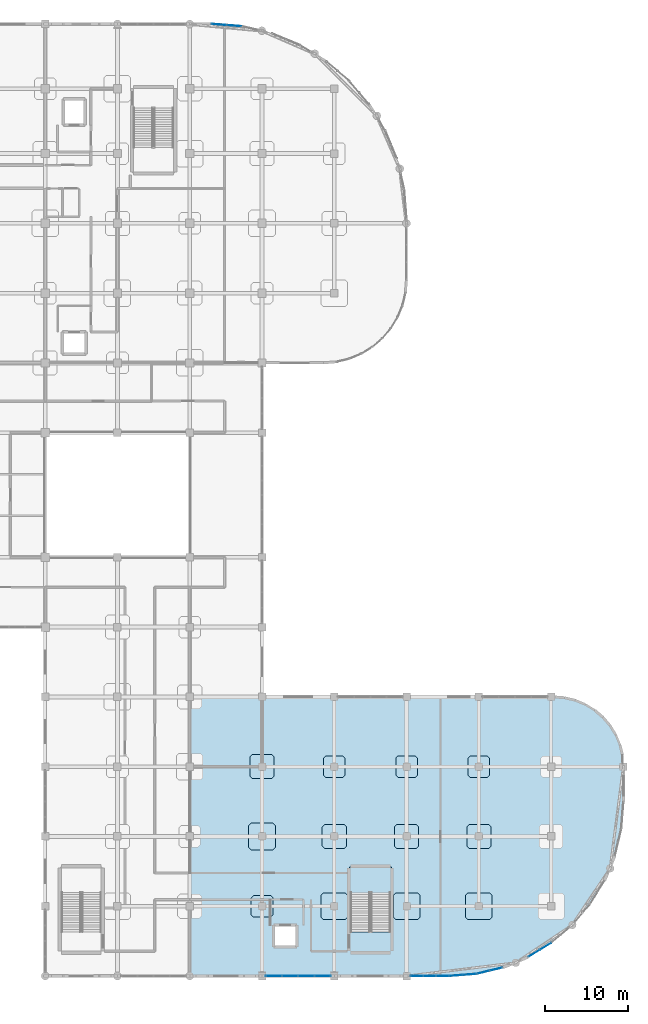
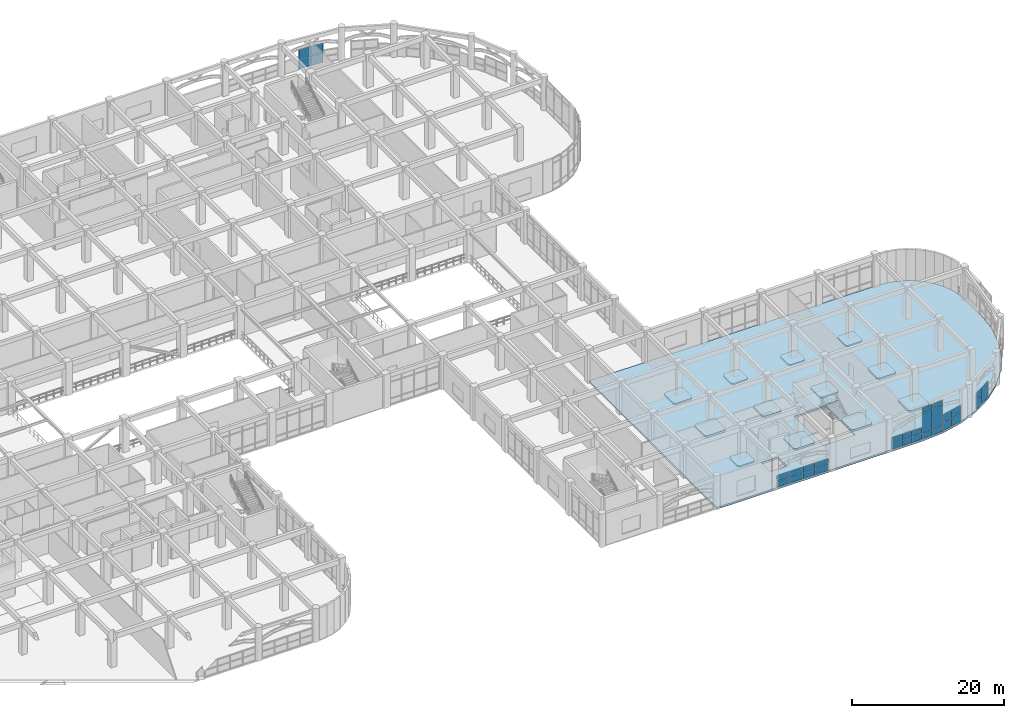
# One storey, part 87 of 114: 33 plates, 14 slabs, 7 elements without a shape of their own.
"""IFC4 building model written with IfcOpenShell, lengths in metres."""

from ifc_helpers import new_model, si_unit, derived_unit, direction, frame, origin, origin_2d, place, context, subcontext, project, spatial, polyline, rectangle, outline, extrude, material, layer, layer_set, type_object, element, aggregate, save


model = new_model("IFC4")

# Units and contexts
model_context = context("Model", 3, precision=1e-05, world=origin(), true_north=direction((0.0, 1.0)))
body_context = subcontext(model_context, "Body", "Model", "MODEL_VIEW")
ifc_project = project(units=[si_unit("LENGTHUNIT", "METRE"), si_unit("AREAUNIT", "SQUARE_METRE"), si_unit("VOLUMEUNIT", "CUBIC_METRE"), si_unit("PLANEANGLEUNIT", "RADIAN"), si_unit("MASSUNIT", "GRAM", prefix="KILO"), derived_unit("THERMALTRANSMITTANCEUNIT", [(si_unit("MASSUNIT", "GRAM", prefix="KILO"), 1), (si_unit("TIMEUNIT", "SECOND"), -3), (si_unit("THERMODYNAMICTEMPERATUREUNIT", "KELVIN"), -1)])], contexts=[model_context])

# Site, building, storey
site_placement = place(None, origin())
site = spatial("IfcSite", under=ifc_project, at=site_placement, CompositionType="ELEMENT")
building_placement = place(site_placement, origin())
building = spatial("IfcBuilding", under=site, at=building_placement, Name="Qinzheling Arcade Emporium", CompositionType="ELEMENT")
storey_placement = place(building_placement, frame((0.0, 0.0, 6.0)))
storey = spatial("IfcBuildingStorey", under=building, at=storey_placement, Name="L02", CompositionType="ELEMENT", Elevation=6.0)

# Slabs
ifc_material_1 = material(Name="Concrete C40", Category="concrete")
ifc_layer_1 = layer(ifc_material_1, 0.235107421875, Name="Concrete C40", Category="concrete")
ifc_layer_set_1 = layer_set([ifc_layer_1], Name="Concrete C40")
slab_type_1 = type_object("IfcSlabType", Name="Column Head Drop Panel 2600x2600x235 C40", PredefinedType="USERDEFINED", material=ifc_layer_set_1)
slab_1_placement = place(storey_placement, frame((0.0, 0.0, -0.530029296875)))
element("IfcSlab", 1, at=slab_1_placement, inside=storey, type_object=slab_type_1, Name="Column Drop Panel DP-L02-16-B", ObjectType="DROP_PANEL", PredefinedType="USERDEFINED", context=body_context, shape_type="SweptSolid", body=[
    extrude(outline(polyline([(129.47998046875, 7.10009765625), (131.52001953125, 7.10009765625), (131.800048828125, 7.3798828125), (131.800048828125, 9.419921875), (131.52001953125, 9.699951171875), (129.47998046875, 9.699951171875), (129.199951171875, 9.419921875), (129.199951171875, 7.3798828125), (129.47998046875, 7.10009765625)])), origin(), (0.0, 0.0, 1.0), 0.235107421875),
])
slab_2_placement = place(storey_placement, frame((0.0, 0.0, -0.530029296875)))
element("IfcSlab", 2, at=slab_2_placement, inside=storey, type_object=slab_type_1, Name="Column Drop Panel DP-L02-17-D", ObjectType="DROP_PANEL", PredefinedType="USERDEFINED", context=body_context, shape_type="SweptSolid", body=[
    extrude(outline(polyline([(138.179931640625, 23.89990234375), (140.219970703125, 23.89990234375), (140.5, 24.179931640625), (140.5, 26.219970703125), (140.219970703125, 26.5), (138.179931640625, 26.5), (137.89990234375, 26.219970703125), (137.89990234375, 24.179931640625), (138.179931640625, 23.89990234375)])), origin(), (0.0, 0.0, 1.0), 0.235107421875),
])
slab_3_placement = place(storey_placement, frame((0.0, 0.0, -0.530029296875)))
element("IfcSlab", 3, at=slab_3_placement, inside=storey, type_object=slab_type_1, Name="Column Drop Panel DP-L02-18-D", ObjectType="DROP_PANEL", PredefinedType="USERDEFINED", context=body_context, shape_type="SweptSolid", body=[
    extrude(outline(polyline([(146.8798828125, 23.89990234375), (148.919921875, 23.89990234375), (149.199951171875, 24.179931640625), (149.199951171875, 26.219970703125), (148.919921875, 26.5), (146.8798828125, 26.5), (146.60009765625, 26.219970703125), (146.60009765625, 24.179931640625), (146.8798828125, 23.89990234375)])), origin(), (0.0, 0.0, 1.0), 0.235107421875),
])
slab_4_placement = place(storey_placement, frame((0.0, 0.0, -0.530029296875)))
element("IfcSlab", 4, at=slab_4_placement, inside=storey, type_object=slab_type_1, Name="Column Drop Panel DP-L02-19-D", ObjectType="DROP_PANEL", PredefinedType="USERDEFINED", context=body_context, shape_type="SweptSolid", body=[
    extrude(outline(polyline([(155.580078125, 23.89990234375), (157.6201171875, 23.89990234375), (157.89990234375, 24.179931640625), (157.89990234375, 26.219970703125), (157.6201171875, 26.5), (155.580078125, 26.5), (155.300048828125, 26.219970703125), (155.300048828125, 24.179931640625), (155.580078125, 23.89990234375)])), origin(), (0.0, 0.0, 1.0), 0.235107421875),
])
ifc_layer_2 = layer(ifc_material_1, 0.27001953125, Name="Concrete C40", Category="concrete")
ifc_layer_set_2 = layer_set([ifc_layer_2], Name="Concrete C40")
slab_type_2 = type_object("IfcSlabType", Name="Column Head Drop Panel 2900x2900x270 C40", PredefinedType="USERDEFINED", material=ifc_layer_set_2)
slab_5_placement = place(storey_placement, frame((0.0, 0.0, -0.56494140625)))
element("IfcSlab", 5, at=slab_5_placement, inside=storey, type_object=slab_type_2, Name="Column Drop Panel DP-L02-16-D", ObjectType="DROP_PANEL", PredefinedType="USERDEFINED", context=body_context, shape_type="SweptSolid", body=[
    extrude(outline(polyline([(129.330078125, 23.75), (131.669921875, 23.75), (131.949951171875, 24.030029296875), (131.949951171875, 26.3701171875), (131.669921875, 26.64990234375), (129.330078125, 26.64990234375), (129.050048828125, 26.3701171875), (129.050048828125, 24.030029296875), (129.330078125, 23.75)])), origin(), (0.0, 0.0, 1.0), 0.27001953125),
])
slab_6_placement = place(storey_placement, frame((0.0, 0.0, -0.56494140625)))
element("IfcSlab", 6, at=slab_6_placement, inside=storey, type_object=slab_type_2, Name="Column Drop Panel DP-L02-17-C", ObjectType="DROP_PANEL", PredefinedType="USERDEFINED", context=body_context, shape_type="SweptSolid", body=[
    extrude(outline(polyline([(138.030029296875, 15.35009765625), (140.3701171875, 15.35009765625), (140.64990234375, 15.6298828125), (140.64990234375, 17.969970703125), (140.3701171875, 18.25), (138.030029296875, 18.25), (137.75, 17.969970703125), (137.75, 15.6298828125), (138.030029296875, 15.35009765625)])), origin(), (0.0, 0.0, 1.0), 0.27001953125),
])
slab_7_placement = place(storey_placement, frame((0.0, 0.0, -0.56494140625)))
element("IfcSlab", 7, at=slab_7_placement, inside=storey, type_object=slab_type_2, Name="Column Drop Panel DP-L02-18-C", ObjectType="DROP_PANEL", PredefinedType="USERDEFINED", context=body_context, shape_type="SweptSolid", body=[
    extrude(outline(polyline([(146.72998046875, 15.35009765625), (149.070068359375, 15.35009765625), (149.35009765625, 15.6298828125), (149.35009765625, 17.969970703125), (149.070068359375, 18.25), (146.72998046875, 18.25), (146.449951171875, 17.969970703125), (146.449951171875, 15.6298828125), (146.72998046875, 15.35009765625)])), origin(), (0.0, 0.0, 1.0), 0.27001953125),
])
slab_8_placement = place(storey_placement, frame((0.0, 0.0, -0.56494140625)))
element("IfcSlab", 8, at=slab_8_placement, inside=storey, type_object=slab_type_2, Name="Column Drop Panel DP-L02-19-C", ObjectType="DROP_PANEL", PredefinedType="USERDEFINED", context=body_context, shape_type="SweptSolid", body=[
    extrude(outline(polyline([(155.429931640625, 15.35009765625), (157.77001953125, 15.35009765625), (158.050048828125, 15.6298828125), (158.050048828125, 17.969970703125), (157.77001953125, 18.25), (155.429931640625, 18.25), (155.14990234375, 17.969970703125), (155.14990234375, 15.6298828125), (155.429931640625, 15.35009765625)])), origin(), (0.0, 0.0, 1.0), 0.27001953125),
])
ifc_layer_3 = layer(ifc_material_1, 0.300048828125, Name="Concrete C40", Category="concrete")
ifc_layer_set_3 = layer_set([ifc_layer_3], Name="Concrete C40")
slab_type_3 = type_object("IfcSlabType", Name="Column Head Drop Panel 3200x3200x300 C40", PredefinedType="USERDEFINED", material=ifc_layer_set_3)
slab_9_placement = place(storey_placement, frame((0.0, 0.0, -0.594970703125)))
element("IfcSlab", 9, at=slab_9_placement, inside=storey, type_object=slab_type_3, Name="Column Drop Panel DP-L02-16-C", ObjectType="DROP_PANEL", PredefinedType="USERDEFINED", context=body_context, shape_type="SweptSolid", body=[
    extrude(outline(polyline([(129.179931640625, 15.199951171875), (131.820068359375, 15.199951171875), (132.10009765625, 15.47998046875), (132.10009765625, 18.1201171875), (131.820068359375, 18.39990234375), (129.179931640625, 18.39990234375), (128.89990234375, 18.1201171875), (128.89990234375, 15.47998046875), (129.179931640625, 15.199951171875)])), origin(), (0.0, 0.0, 1.0), 0.300048828125),
])
slab_10_placement = place(storey_placement, frame((0.0, 0.0, -0.594970703125)))
element("IfcSlab", 10, at=slab_10_placement, inside=storey, type_object=slab_type_3, Name="Column Drop Panel DP-L02-17-B", ObjectType="DROP_PANEL", PredefinedType="USERDEFINED", context=body_context, shape_type="SweptSolid", body=[
    extrude(outline(polyline([(137.8798828125, 6.800048828125), (140.52001953125, 6.800048828125), (140.800048828125, 7.080078125), (140.800048828125, 9.719970703125), (140.52001953125, 10.0), (137.8798828125, 10.0), (137.60009765625, 9.719970703125), (137.60009765625, 7.080078125), (137.8798828125, 6.800048828125)])), origin(), (0.0, 0.0, 1.0), 0.300048828125),
])
slab_11_placement = place(storey_placement, frame((0.0, 0.0, -0.594970703125)))
element("IfcSlab", 11, at=slab_11_placement, inside=storey, type_object=slab_type_3, Name="Column Drop Panel DP-L02-18-B", ObjectType="DROP_PANEL", PredefinedType="USERDEFINED", context=body_context, shape_type="SweptSolid", body=[
    extrude(outline(polyline([(146.580078125, 6.800048828125), (149.219970703125, 6.800048828125), (149.5, 7.080078125), (149.5, 9.719970703125), (149.219970703125, 10.0), (146.580078125, 10.0), (146.300048828125, 9.719970703125), (146.300048828125, 7.080078125), (146.580078125, 6.800048828125)])), origin(), (0.0, 0.0, 1.0), 0.300048828125),
])
slab_12_placement = place(storey_placement, frame((0.0, 0.0, -0.594970703125)))
element("IfcSlab", 12, at=slab_12_placement, inside=storey, type_object=slab_type_3, Name="Column Drop Panel DP-L02-19-B", ObjectType="DROP_PANEL", PredefinedType="USERDEFINED", context=body_context, shape_type="SweptSolid", body=[
    extrude(outline(polyline([(155.280029296875, 6.800048828125), (157.919921875, 6.800048828125), (158.199951171875, 7.080078125), (158.199951171875, 9.719970703125), (157.919921875, 10.0), (155.280029296875, 10.0), (155.0, 9.719970703125), (155.0, 7.080078125), (155.280029296875, 6.800048828125)])), origin(), (0.0, 0.0, 1.0), 0.300048828125),
])
ifc_layer_4 = layer(ifc_material_1, 0.294921875, Name="Concrete C40", Category="concrete")
ifc_layer_set_4 = layer_set([ifc_layer_4], Name="Concrete C40")
slab_type_4 = type_object("IfcSlabType", Name="Food Hall Acoustic Flat Slab 295 C40", PredefinedType="FLOOR", material=ifc_layer_set_4)
slab_13_placement = place(storey_placement, frame((0.0, 0.0, -0.294921875)))
element("IfcSlab", 13, at=slab_13_placement, inside=storey, type_object=slab_type_4, Name="Floor Slab SLB-L02-V4", PredefinedType="FLOOR", context=body_context, shape_type="SweptSolid", body=[
    extrude(outline(polyline([(121.800048828125, 33.60009765625), (121.800048828125, 0.0), (153.0, 0.0), (156.284912109375, 0.259033203125), (159.489013671875, 1.028076171875), (162.533935546875, 2.2890625), (165.343017578125, 4.010986328125), (167.84912109375, 6.15087890625), (169.989013671875, 8.656982421875), (171.7109375, 11.466064453125), (172.971923828125, 14.510986328125), (173.740966796875, 17.715087890625), (174.0, 21.0), (174.0, 25.199951171875), (173.89697265625, 26.513916015625), (173.589111328125, 27.7958984375), (173.083984375, 29.013916015625), (172.39599609375, 30.136962890625), (171.5400390625, 31.139892578125), (170.537109375, 31.99609375), (169.4140625, 32.68408203125), (168.196044921875, 33.18896484375), (166.9140625, 33.4970703125), (165.60009765625, 33.60009765625), (121.800048828125, 33.60009765625)]), holes=[polyline([(141.155029296875, 5.324951171875), (141.155029296875, 13.0), (145.945068359375, 13.0), (145.945068359375, 5.324951171875), (141.155029296875, 5.324951171875)]), polyline([(134.550048828125, 3.64990234375), (132.050048828125, 3.64990234375), (132.050048828125, 5.949951171875), (134.550048828125, 5.949951171875), (134.550048828125, 3.64990234375)])]), origin(), (0.0, 0.0, 1.0), 0.294921875),
])

# Curtain wall, plates
ifc_material_2 = material(Name="Anodised aluminium and solar-control double glazing", Category="aluminium")
ifc_layer_5 = layer(ifc_material_2, 0.159912109375, Name="Anodised aluminium and solar-control double glazing", Category="aluminium")
ifc_layer_set_5 = layer_set([ifc_layer_5], Name="Anodised aluminium and solar-control double glazing")
curtain_wall_type_1 = type_object("IfcCurtainWallType", Name="Curved Ribbon Sales Curtain Wall", PredefinedType="NOTDEFINED", material=ifc_layer_set_5)
curtain_wall_1_placement = place(storey_placement, origin())
curtain_wall_1 = element("IfcCurtainWall", 14, at=curtain_wall_1_placement, inside=storey, type_object=curtain_wall_type_1, Name="Curtain Wall CW-L02-054", PredefinedType="NOTDEFINED")
ifc_material_3 = material(Name="Laminated solar-control double glazing", Category="glass")
ifc_layer_6 = layer(ifc_material_3, 0.029052734375, Name="Laminated solar-control double glazing", Category="glass")
ifc_layer_set_6 = layer_set([ifc_layer_6], Name="Laminated solar-control double glazing")
plate_type_1 = type_object("IfcPlateType", Name="Low-E Double Glazed Curtain Panel 29mm", PredefinedType="CURTAIN_PANEL", material=ifc_layer_set_6)
plate_1_placement = place(storey_placement, frame((164.6279296875, 3.57275390625, 0.06005859375), z_axis=(0.0, 0.0, 1.0), x_axis=(-0.852553266126, -0.522640343274, 0.0)))
plate_1 = element("IfcPlate", 15, at=plate_1_placement, type_object=plate_type_1, Name="CW02 panel 1.1", PredefinedType="CURTAIN_PANEL", context=body_context, shape_type="SweptSolid", body=[
    extrude(rectangle(XDim=1.557373046875, YDim=0.029052734375, at=origin_2d()), origin(), (0.0, 0.0, 1.0), 1.27197265625),
])
plate_2_placement = place(storey_placement, frame((164.6279296875, 3.57275390625, 1.39208984375), z_axis=(0.0, 0.0, 1.0), x_axis=(-0.852553266126, -0.522640343274, 0.0)))
plate_2 = element("IfcPlate", 16, at=plate_2_placement, type_object=plate_type_1, Name="CW02 panel 1.2", PredefinedType="CURTAIN_PANEL", context=body_context, shape_type="SweptSolid", body=[
    extrude(rectangle(XDim=1.557373046875, YDim=0.029052734375, at=origin_2d()), origin(), (0.0, 0.0, 1.0), 1.27099609375),
])
plate_3_placement = place(storey_placement, frame((163.2490234375, 2.727294921875, 0.06005859375), z_axis=(0.0, 0.0, 1.0), x_axis=(-0.852553266126, -0.522640343274, 0.0)))
plate_3 = element("IfcPlate", 17, at=plate_3_placement, type_object=plate_type_1, Name="CW02 panel 2.1", PredefinedType="CURTAIN_PANEL", context=body_context, shape_type="SweptSolid", body=[
    extrude(rectangle(XDim=1.557373046875, YDim=0.029052734375, at=origin_2d()), origin(), (0.0, 0.0, 1.0), 1.27197265625),
])
plate_4_placement = place(storey_placement, frame((163.2490234375, 2.727294921875, 1.39208984375), z_axis=(0.0, 0.0, 1.0), x_axis=(-0.852553266126, -0.522640343274, 0.0)))
plate_4 = element("IfcPlate", 18, at=plate_4_placement, type_object=plate_type_1, Name="CW02 panel 2.2", PredefinedType="CURTAIN_PANEL", context=body_context, shape_type="SweptSolid", body=[
    extrude(rectangle(XDim=1.557373046875, YDim=0.029052734375, at=origin_2d()), origin(), (0.0, 0.0, 1.0), 1.27099609375),
])
aggregate(curtain_wall_1, [plate_1, plate_2, plate_3, plate_4])

curtain_wall_2_placement = place(storey_placement, origin())
curtain_wall_2 = element("IfcCurtainWall", 19, at=curtain_wall_2_placement, inside=storey, type_object=curtain_wall_type_1, Name="Curtain Wall CW-L02-055", PredefinedType="NOTDEFINED")
ifc_layer_7 = layer(ifc_material_3, 0.030029296875, Name="Laminated solar-control double glazing", Category="glass")
ifc_layer_set_7 = layer_set([ifc_layer_7], Name="Laminated solar-control double glazing")
plate_type_2 = type_object("IfcPlateType", Name="Low-E Double Glazed Curtain Panel 30mm", PredefinedType="CURTAIN_PANEL", material=ifc_layer_set_7)
plate_5_placement = place(storey_placement, frame((158.67333984375, 0.832275390625, 0.06005859375), z_axis=(0.0, 0.0, 1.0), x_axis=(-0.972384547081, -0.233384430923, 0.0)))
plate_5 = element("IfcPlate", 20, at=plate_5_placement, type_object=plate_type_2, Name="CW02 panel 1.1", PredefinedType="CURTAIN_PANEL", context=body_context, shape_type="SweptSolid", body=[
    extrude(rectangle(XDim=1.5576171875, YDim=0.030029296875, at=origin_2d()), origin(), (0.0, 0.0, 1.0), 1.263916015625),
])
plate_6_placement = place(storey_placement, frame((158.67333984375, 0.832275390625, 1.38427734375), z_axis=(0.0, 0.0, 1.0), x_axis=(-0.972384547081, -0.233384430923, 0.0)))
plate_6 = element("IfcPlate", 21, at=plate_6_placement, type_object=plate_type_2, Name="CW02 panel 1.2", PredefinedType="CURTAIN_PANEL", context=body_context, shape_type="SweptSolid", body=[
    extrude(rectangle(XDim=1.5576171875, YDim=0.030029296875, at=origin_2d()), origin(), (0.0, 0.0, 1.0), 1.263916015625),
])
plate_7_placement = place(storey_placement, frame((157.1005859375, 0.454833984375, 0.06005859375), z_axis=(0.0, 0.0, 1.0), x_axis=(-0.972384547081, -0.233384430923, 0.0)))
plate_7 = element("IfcPlate", 22, at=plate_7_placement, type_object=plate_type_2, Name="CW02 panel 2.1", PredefinedType="CURTAIN_PANEL", context=body_context, shape_type="SweptSolid", body=[
    extrude(rectangle(XDim=1.5576171875, YDim=0.030029296875, at=origin_2d()), origin(), (0.0, 0.0, 1.0), 1.263916015625),
])
plate_8_placement = place(storey_placement, frame((157.1005859375, 0.454833984375, 1.38427734375), z_axis=(0.0, 0.0, 1.0), x_axis=(-0.972384547081, -0.233384430923, 0.0)))
plate_8 = element("IfcPlate", 23, at=plate_8_placement, type_object=plate_type_2, Name="CW02 panel 2.2", PredefinedType="CURTAIN_PANEL", context=body_context, shape_type="SweptSolid", body=[
    extrude(rectangle(XDim=1.5576171875, YDim=0.030029296875, at=origin_2d()), origin(), (0.0, 0.0, 1.0), 1.263916015625),
])
aggregate(curtain_wall_2, [plate_5, plate_6, plate_7, plate_8])

curtain_wall_3_placement = place(storey_placement, origin())
curtain_wall_3 = element("IfcCurtainWall", 24, at=curtain_wall_3_placement, inside=storey, type_object=curtain_wall_type_1, Name="Curtain Wall CW-L02-103", PredefinedType="NOTDEFINED")
plate_9_placement = place(storey_placement, frame((125.333984375, 114.526611328125, 0.06005859375), z_axis=(0.0, 0.0, 1.0), x_axis=(0.996923852542, -0.078376222365, 0.0)))
plate_9 = element("IfcPlate", 25, at=plate_9_placement, type_object=plate_type_2, Name="CW02 panel 1.1", PredefinedType="CURTAIN_PANEL", context=body_context, shape_type="SweptSolid", body=[
    extrude(rectangle(XDim=1.753662109375, YDim=0.030029296875, at=origin_2d()), origin(), (0.0, 0.0, 1.0), 1.5400390625),
])
plate_10_placement = place(storey_placement, frame((125.333984375, 114.526611328125, 1.659912109375), z_axis=(0.0, 0.0, 1.0), x_axis=(0.996923852542, -0.078376222365, 0.0)))
plate_10 = element("IfcPlate", 26, at=plate_10_placement, type_object=plate_type_2, Name="CW02 panel 1.2", PredefinedType="CURTAIN_PANEL", context=body_context, shape_type="SweptSolid", body=[
    extrude(rectangle(XDim=1.753662109375, YDim=0.030029296875, at=origin_2d()), origin(), (0.0, 0.0, 1.0), 1.5390625),
])
plate_11_placement = place(storey_placement, frame((127.14208984375, 114.384521484375, 0.06005859375), z_axis=(0.0, 0.0, 1.0), x_axis=(0.996923852542, -0.078376222365, 0.0)))
plate_11 = element("IfcPlate", 27, at=plate_11_placement, type_object=plate_type_2, Name="CW02 panel 2.1", PredefinedType="CURTAIN_PANEL", context=body_context, shape_type="SweptSolid", body=[
    extrude(rectangle(XDim=1.753662109375, YDim=0.030029296875, at=origin_2d()), origin(), (0.0, 0.0, 1.0), 1.5400390625),
])
plate_12_placement = place(storey_placement, frame((127.14208984375, 114.384521484375, 1.659912109375), z_axis=(0.0, 0.0, 1.0), x_axis=(0.996923852542, -0.078376222365, 0.0)))
plate_12 = element("IfcPlate", 28, at=plate_12_placement, type_object=plate_type_2, Name="CW02 panel 2.2", PredefinedType="CURTAIN_PANEL", context=body_context, shape_type="SweptSolid", body=[
    extrude(rectangle(XDim=1.753662109375, YDim=0.030029296875, at=origin_2d()), origin(), (0.0, 0.0, 1.0), 1.5390625),
])
aggregate(curtain_wall_3, [plate_9, plate_10, plate_11, plate_12])

curtain_wall_4_placement = place(storey_placement, origin())
curtain_wall_4 = element("IfcCurtainWall", 29, at=curtain_wall_4_placement, inside=storey, type_object=curtain_wall_type_1, Name="Curtain Wall CW-L02-056", PredefinedType="NOTDEFINED")
ifc_layer_8 = layer(ifc_material_3, 0.031005859375, Name="Laminated solar-control double glazing", Category="glass")
ifc_layer_set_8 = layer_set([ifc_layer_8], Name="Laminated solar-control double glazing")
plate_type_3 = type_object("IfcPlateType", Name="Low-E Double Glazed Curtain Panel 31mm", PredefinedType="CURTAIN_PANEL", material=ifc_layer_set_8)
plate_13_placement = place(storey_placement, frame((155.44873046875, 0.193115234375, 0.06005859375), z_axis=(0.0, 0.0, 1.0), x_axis=(-0.996906288818, -0.078599308618, 0.0)))
plate_13 = element("IfcPlate", 30, at=plate_13_placement, type_object=plate_type_3, Name="CW02 panel 1.1", PredefinedType="CURTAIN_PANEL", context=body_context, shape_type="SweptSolid", body=[
    extrude(rectangle(XDim=1.5576171875, YDim=0.031005859375, at=origin_2d()), origin(), (0.0, 0.0, 1.0), 0.860107421875),
])
plate_14_placement = place(storey_placement, frame((155.44873046875, 0.193115234375, 0.97998046875), z_axis=(0.0, 0.0, 1.0), x_axis=(-0.996906288818, -0.078599308618, 0.0)))
plate_14 = element("IfcPlate", 31, at=plate_14_placement, type_object=plate_type_3, Name="CW02 panel 1.2", PredefinedType="CURTAIN_PANEL", context=body_context, shape_type="SweptSolid", body=[
    extrude(rectangle(XDim=1.5576171875, YDim=0.031005859375, at=origin_2d()), origin(), (0.0, 0.0, 1.0), 3.22998046875),
])
plate_15_placement = place(storey_placement, frame((155.44873046875, 0.193115234375, 4.27001953125), z_axis=(0.0, 0.0, 1.0), x_axis=(-0.996906288818, -0.078599308618, 0.0)))
plate_15 = element("IfcPlate", 32, at=plate_15_placement, type_object=plate_type_3, Name="CW02 panel 1.3", PredefinedType="CURTAIN_PANEL", context=body_context, shape_type="SweptSolid", body=[
    extrude(rectangle(XDim=1.5576171875, YDim=0.031005859375, at=origin_2d()), origin(), (0.0, 0.0, 1.0), 0.760009765625),
])
plate_16_placement = place(storey_placement, frame((153.836181640625, 0.06591796875, 0.06005859375), z_axis=(0.0, 0.0, 1.0), x_axis=(-0.996906288818, -0.078599308618, 0.0)))
plate_16 = element("IfcPlate", 33, at=plate_16_placement, type_object=plate_type_3, Name="CW02 panel 2.1", PredefinedType="CURTAIN_PANEL", context=body_context, shape_type="SweptSolid", body=[
    extrude(rectangle(XDim=1.5576171875, YDim=0.031005859375, at=origin_2d()), origin(), (0.0, 0.0, 1.0), 0.860107421875),
])
plate_17_placement = place(storey_placement, frame((153.836181640625, 0.06591796875, 0.97998046875), z_axis=(0.0, 0.0, 1.0), x_axis=(-0.996906288818, -0.078599308618, 0.0)))
plate_17 = element("IfcPlate", 34, at=plate_17_placement, type_object=plate_type_3, Name="CW02 panel 2.2", PredefinedType="CURTAIN_PANEL", context=body_context, shape_type="SweptSolid", body=[
    extrude(rectangle(XDim=1.5576171875, YDim=0.031005859375, at=origin_2d()), origin(), (0.0, 0.0, 1.0), 3.22998046875),
])
plate_18_placement = place(storey_placement, frame((153.836181640625, 0.06591796875, 4.27001953125), z_axis=(0.0, 0.0, 1.0), x_axis=(-0.996906288818, -0.078599308618, 0.0)))
plate_18 = element("IfcPlate", 35, at=plate_18_placement, type_object=plate_type_3, Name="CW02 panel 2.3", PredefinedType="CURTAIN_PANEL", context=body_context, shape_type="SweptSolid", body=[
    extrude(rectangle(XDim=1.5576171875, YDim=0.031005859375, at=origin_2d()), origin(), (0.0, 0.0, 1.0), 0.760009765625),
])
aggregate(curtain_wall_4, [plate_13, plate_14, plate_15, plate_16, plate_17, plate_18])

ifc_layer_9 = layer(ifc_material_2, 0.159912109375, Name="Anodised aluminium and solar-control double glazing", Category="aluminium")
ifc_layer_set_9 = layer_set([ifc_layer_9], Name="Anodised aluminium and solar-control double glazing")
curtain_wall_type_2 = type_object("IfcCurtainWallType", Name="Food Hall Loggia Curtain Wall", PredefinedType="NOTDEFINED", material=ifc_layer_set_9)
curtain_wall_5_placement = place(storey_placement, origin())
curtain_wall_5 = element("IfcCurtainWall", 36, at=curtain_wall_5_placement, inside=storey, type_object=curtain_wall_type_2, Name="Curtain Wall CW-L02-057", PredefinedType="NOTDEFINED")
ifc_layer_10 = layer(ifc_material_3, 0.031982421875, Name="Laminated solar-control double glazing", Category="glass")
ifc_layer_set_10 = layer_set([ifc_layer_10], Name="Laminated solar-control double glazing")
plate_type_4 = type_object("IfcPlateType", Name="Low-E Double Glazed Curtain Panel 32mm", PredefinedType="CURTAIN_PANEL", material=ifc_layer_set_10)
plate_19_placement = place(storey_placement, frame((152.21044921875, 0.0, 0.06005859375), z_axis=(0.0, 0.0, 1.0), x_axis=(-1.0, 0.0, 0.0)))
plate_19 = element("IfcPlate", 37, at=plate_19_placement, type_object=plate_type_4, Name="CW04 panel 1.1", PredefinedType="CURTAIN_PANEL", context=body_context, shape_type="SweptSolid", body=[
    extrude(rectangle(XDim=1.459228515625, YDim=0.031982421875, at=origin_2d()), origin(), (0.0, 0.0, 1.0), 0.907958984375),
])
plate_20_placement = place(storey_placement, frame((152.21044921875, 0.0, 1.02783203125), z_axis=(0.0, 0.0, 1.0), x_axis=(-1.0, 0.0, 0.0)))
plate_20 = element("IfcPlate", 38, at=plate_20_placement, type_object=plate_type_4, Name="CW04 panel 1.2", PredefinedType="CURTAIN_PANEL", context=body_context, shape_type="SweptSolid", body=[
    extrude(rectangle(XDim=1.459228515625, YDim=0.031982421875, at=origin_2d()), origin(), (0.0, 0.0, 1.0), 0.906982421875),
])
plate_21_placement = place(storey_placement, frame((150.676025390625, 0.0, 0.06005859375), z_axis=(0.0, 0.0, 1.0), x_axis=(-1.0, 0.0, 0.0)))
plate_21 = element("IfcPlate", 39, at=plate_21_placement, type_object=plate_type_4, Name="CW04 panel 2.1", PredefinedType="CURTAIN_PANEL", context=body_context, shape_type="SweptSolid", body=[
    extrude(rectangle(XDim=1.4892578125, YDim=0.031982421875, at=origin_2d()), origin(), (0.0, 0.0, 1.0), 0.907958984375),
])
plate_22_placement = place(storey_placement, frame((150.676025390625, 0.0, 1.02783203125), z_axis=(0.0, 0.0, 1.0), x_axis=(-1.0, 0.0, 0.0)))
plate_22 = element("IfcPlate", 40, at=plate_22_placement, type_object=plate_type_4, Name="CW04 panel 2.2", PredefinedType="CURTAIN_PANEL", context=body_context, shape_type="SweptSolid", body=[
    extrude(rectangle(XDim=1.4892578125, YDim=0.031982421875, at=origin_2d()), origin(), (0.0, 0.0, 1.0), 0.906982421875),
])
plate_23_placement = place(storey_placement, frame((149.1416015625, 0.0, 0.06005859375), z_axis=(0.0, 0.0, 1.0), x_axis=(-1.0, 0.0, 0.0)))
plate_23 = element("IfcPlate", 41, at=plate_23_placement, type_object=plate_type_4, Name="CW04 panel 3.1", PredefinedType="CURTAIN_PANEL", context=body_context, shape_type="SweptSolid", body=[
    extrude(rectangle(XDim=1.459228515625, YDim=0.031982421875, at=origin_2d()), origin(), (0.0, 0.0, 1.0), 0.907958984375),
])
plate_24_placement = place(storey_placement, frame((149.1416015625, 0.0, 1.02783203125), z_axis=(0.0, 0.0, 1.0), x_axis=(-1.0, 0.0, 0.0)))
plate_24 = element("IfcPlate", 42, at=plate_24_placement, type_object=plate_type_4, Name="CW04 panel 3.2", PredefinedType="CURTAIN_PANEL", context=body_context, shape_type="SweptSolid", body=[
    extrude(rectangle(XDim=1.459228515625, YDim=0.031982421875, at=origin_2d()), origin(), (0.0, 0.0, 1.0), 0.906982421875),
])
aggregate(curtain_wall_5, [plate_19, plate_20, plate_21, plate_22, plate_23, plate_24])

curtain_wall_6_placement = place(storey_placement, origin())
curtain_wall_6 = element("IfcCurtainWall", 43, at=curtain_wall_6_placement, inside=storey, type_object=curtain_wall_type_2, Name="Curtain Wall CW-L02-058", PredefinedType="NOTDEFINED")
ifc_layer_11 = layer(ifc_material_3, 0.033935546875, Name="Laminated solar-control double glazing", Category="glass")
ifc_layer_set_11 = layer_set([ifc_layer_11], Name="Laminated solar-control double glazing")
plate_type_5 = type_object("IfcPlateType", Name="Low-E Double Glazed Curtain Panel 34mm", PredefinedType="CURTAIN_PANEL", material=ifc_layer_set_11)
plate_25_placement = place(storey_placement, frame((137.758544921875, 0.0, 0.06005859375), z_axis=(0.0, 0.0, 1.0), x_axis=(-1.0, 0.0, 0.0)))
plate_25 = element("IfcPlate", 44, at=plate_25_placement, type_object=plate_type_5, Name="CW04 panel 1.1", PredefinedType="CURTAIN_PANEL", context=body_context, shape_type="SweptSolid", body=[
    extrude(rectangle(XDim=1.85888671875, YDim=0.033935546875, at=origin_2d()), origin(), (0.0, 0.0, 1.0), 0.907958984375),
])
plate_26_placement = place(storey_placement, frame((137.758544921875, 0.0, 1.02783203125), z_axis=(0.0, 0.0, 1.0), x_axis=(-1.0, 0.0, 0.0)))
plate_26 = element("IfcPlate", 45, at=plate_26_placement, type_object=plate_type_5, Name="CW04 panel 1.2", PredefinedType="CURTAIN_PANEL", context=body_context, shape_type="SweptSolid", body=[
    extrude(rectangle(XDim=1.85888671875, YDim=0.033935546875, at=origin_2d()), origin(), (0.0, 0.0, 1.0), 0.906982421875),
])
plate_27_placement = place(storey_placement, frame((135.824462890625, 0.0, 0.06005859375), z_axis=(0.0, 0.0, 1.0), x_axis=(-1.0, 0.0, 0.0)))
plate_27 = element("IfcPlate", 46, at=plate_27_placement, type_object=plate_type_5, Name="CW04 panel 2.1", PredefinedType="CURTAIN_PANEL", context=body_context, shape_type="SweptSolid", body=[
    extrude(rectangle(XDim=1.888916015625, YDim=0.033935546875, at=origin_2d()), origin(), (0.0, 0.0, 1.0), 0.907958984375),
])
plate_28_placement = place(storey_placement, frame((135.824462890625, 0.0, 1.02783203125), z_axis=(0.0, 0.0, 1.0), x_axis=(-1.0, 0.0, 0.0)))
plate_28 = element("IfcPlate", 47, at=plate_28_placement, type_object=plate_type_5, Name="CW04 panel 2.2", PredefinedType="CURTAIN_PANEL", context=body_context, shape_type="SweptSolid", body=[
    extrude(rectangle(XDim=1.888916015625, YDim=0.033935546875, at=origin_2d()), origin(), (0.0, 0.0, 1.0), 0.906982421875),
])
plate_29_placement = place(storey_placement, frame((133.87548828125, 0.0, 0.06005859375), z_axis=(0.0, 0.0, 1.0), x_axis=(-1.0, 0.0, 0.0)))
plate_29 = element("IfcPlate", 48, at=plate_29_placement, type_object=plate_type_5, Name="CW04 panel 3.1", PredefinedType="CURTAIN_PANEL", context=body_context, shape_type="SweptSolid", body=[
    extrude(rectangle(XDim=1.888916015625, YDim=0.033935546875, at=origin_2d()), origin(), (0.0, 0.0, 1.0), 0.907958984375),
])
plate_30_placement = place(storey_placement, frame((133.87548828125, 0.0, 1.02783203125), z_axis=(0.0, 0.0, 1.0), x_axis=(-1.0, 0.0, 0.0)))
plate_30 = element("IfcPlate", 49, at=plate_30_placement, type_object=plate_type_5, Name="CW04 panel 3.2", PredefinedType="CURTAIN_PANEL", context=body_context, shape_type="SweptSolid", body=[
    extrude(rectangle(XDim=1.888916015625, YDim=0.033935546875, at=origin_2d()), origin(), (0.0, 0.0, 1.0), 0.906982421875),
])
plate_31_placement = place(storey_placement, frame((131.94140625, 0.0, 0.06005859375), z_axis=(0.0, 0.0, 1.0), x_axis=(-1.0, 0.0, 0.0)))
plate_31 = element("IfcPlate", 50, at=plate_31_placement, type_object=plate_type_5, Name="CW04 panel 4.1", PredefinedType="CURTAIN_PANEL", context=body_context, shape_type="SweptSolid", body=[
    extrude(rectangle(XDim=1.85888671875, YDim=0.033935546875, at=origin_2d()), origin(), (0.0, 0.0, 1.0), 0.907958984375),
])
plate_32_placement = place(storey_placement, frame((131.94140625, 0.0, 1.02783203125), z_axis=(0.0, 0.0, 1.0), x_axis=(-1.0, 0.0, 0.0)))
plate_32 = element("IfcPlate", 51, at=plate_32_placement, type_object=plate_type_5, Name="CW04 panel 4.2", PredefinedType="CURTAIN_PANEL", context=body_context, shape_type="SweptSolid", body=[
    extrude(rectangle(XDim=1.85888671875, YDim=0.033935546875, at=origin_2d()), origin(), (0.0, 0.0, 1.0), 0.906982421875),
])
aggregate(curtain_wall_6, [plate_25, plate_26, plate_27, plate_28, plate_29, plate_30, plate_31, plate_32])

# Stair, slab
stair_type = type_object("IfcStairType", Name="Cast-in-Situ Dog-Leg Escape Stair H5400", PredefinedType="HALF_TURN_STAIR", material=ifc_material_1)
stair_placement = place(storey_placement, origin())
stair = element("IfcStair", 52, at=stair_placement, inside=storey, type_object=stair_type, Name="L02 ST06", PredefinedType="HALF_TURN_STAIR")
ifc_layer_12 = layer(ifc_material_1, 0.199951171875, Name="Concrete C40", Category="concrete")
ifc_layer_set_12 = layer_set([ifc_layer_12], Name="Concrete C40")
slab_type_5 = type_object("IfcSlabType", Name="Stair Half-Turn Landing Slab 200 C40", PredefinedType="LANDING", material=ifc_layer_set_12)
slab_14_placement = place(storey_placement, frame((0.0, 0.0, 2.5)))
slab_14 = element("IfcSlab", 53, at=slab_14_placement, type_object=slab_type_5, Name="ST06 landing 1", PredefinedType="LANDING", context=body_context, shape_type="SweptSolid", body=[
    extrude(outline(polyline([(146.06494140625, 9.9599609375), (141.034912109375, 9.9599609375), (141.034912109375, 13.1201171875), (146.06494140625, 13.1201171875), (146.06494140625, 9.9599609375)])), origin(), (0.0, 0.0, 1.0), 0.199951171875),
])
aggregate(stair, [slab_14])

# Plate
ifc_material_4 = material(Name="Perforated anodised aluminium sheet", Category="aluminium")
ifc_layer_13 = layer(ifc_material_4, 0.014892578125, Name="Perforated anodised aluminium sheet", Category="aluminium")
ifc_layer_set_13 = layer_set([ifc_layer_13], Name="Perforated anodised aluminium sheet")
plate_type_6 = type_object("IfcPlateType", Name="Typhoon Storm Louvre Blade 15mm", PredefinedType="SHEET", material=ifc_layer_set_13)
plate_33_placement = place(storey_placement, frame((134.85009765625, 0.0, 1.419921875), z_axis=(0.0, 0.0, 1.0), x_axis=(-1.0, 0.0, 0.0)))
element("IfcPlate", 54, at=plate_33_placement, inside=storey, type_object=plate_type_6, Name="Storm Louvre PLT-SLV-L02-001", PredefinedType="SHEET", context=body_context, shape_type="SweptSolid", body=[
    extrude(rectangle(XDim=7.825927734375, YDim=0.014892578125, at=origin_2d()), origin(), (0.0, 0.0, 1.0), 0.449951171875),
])

save(model, "model.ifc")
